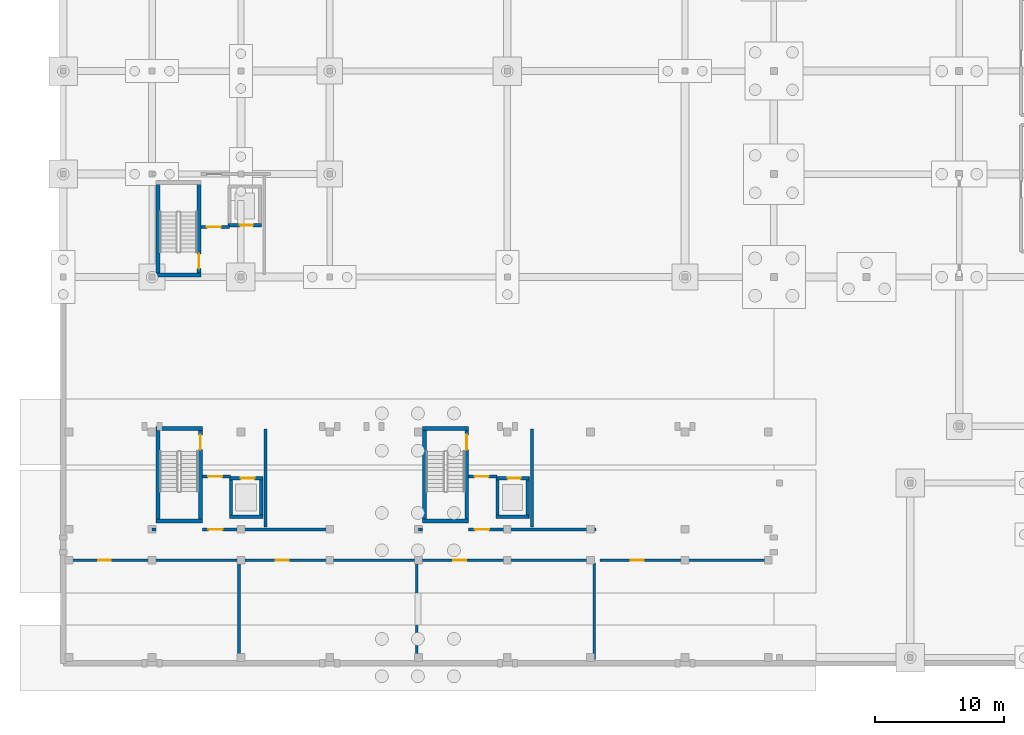
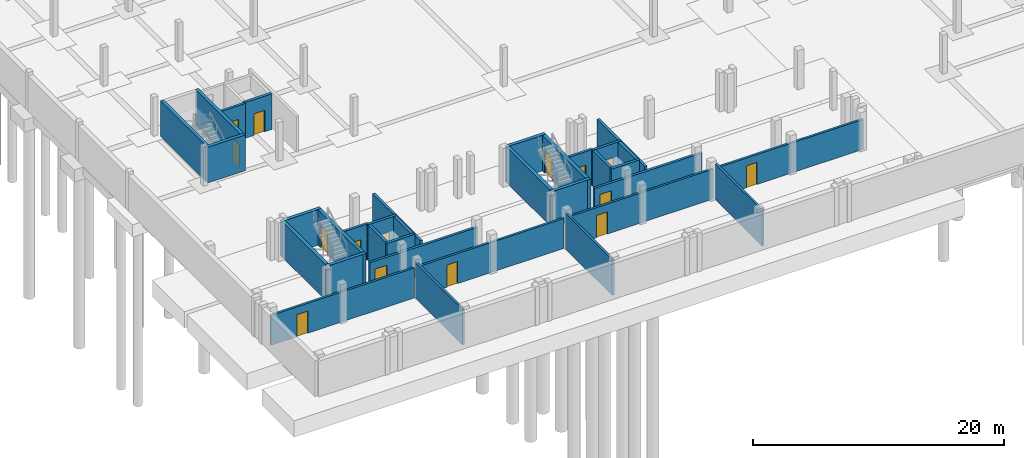
# One storey, part 17 of 38: 36 walls, 15 doors, 15 openings.
"""IFC4 building model written with IfcOpenShell, lengths in metres."""

from ifc_helpers import new_model, si_unit, direction, frame, frame_2d, origin, origin_with_axes, place, context, subcontext, project, spatial, rectangle, extrude, material, layer, layer_set, type_object, element, fill, save


model = new_model("IFC4")

# Units and contexts
model_context = context("Model", 3, precision=1e-05, world=origin(), true_north=direction((0.0, 1.0)))
body_context = subcontext(model_context, "Body", "Model", "MODEL_VIEW")
ifc_project = project(units=[si_unit("LENGTHUNIT", "METRE"), si_unit("AREAUNIT", "SQUARE_METRE"), si_unit("VOLUMEUNIT", "CUBIC_METRE"), si_unit("PLANEANGLEUNIT", "RADIAN"), si_unit("MASSUNIT", "GRAM", prefix="KILO")], contexts=[model_context])

# Site, building, storey
site_placement = place(None, origin())
site = spatial("IfcSite", under=ifc_project, at=site_placement, CompositionType="ELEMENT")
building_placement = place(site_placement, origin())
building = spatial("IfcBuilding", under=site, at=building_placement, Name="Zavelmont Quarter", CompositionType="ELEMENT")
storey_placement = place(building_placement, frame((0.0, 0.0, -3.800048828125)))
storey = spatial("IfcBuildingStorey", under=building, at=storey_placement, Name="B01", CompositionType="ELEMENT", Elevation=-3.800048828125)

# Wall, opening, door
ifc_material_1 = material(Name="Calcium-silicate blockwork and acoustic plaster", Category="masonry")
ifc_layer_1 = layer(ifc_material_1, 0.199951171875)
ifc_layer_set_1 = layer_set([ifc_layer_1], Name="Calcium-silicate blockwork and acoustic plaster")
wall_type_1 = type_object("IfcWallType", Name="IW01", PredefinedType="PARTITIONING", material=ifc_layer_set_1)
wall_1_placement = place(storey_placement, frame((0.300048828125, 8.0, 0.0), z_axis=(0.0, 0.0, 1.0), x_axis=(1.0, 0.0, 0.0)))
wall_1 = element("IfcWall", 1, at=wall_1_placement, inside=storey, type_object=wall_type_1, Name="B01 Basement storage wall IW01", PredefinedType="PARTITIONING", context=body_context, shape_type="SweptSolid", body=[
    extrude(rectangle(XDim=13.199951171875, YDim=0.199951171875, at=frame_2d((6.60009765625, 0.0))), origin(), (0.0, 0.0, 1.0), 2.920166015625),
])
opening_1_placement = place(wall_1_placement, frame((2.39990234375, 0.0, 0.0)))
opening_1 = element("IfcOpeningElement", 2, at=opening_1_placement, cuts=wall_1, Name="Opening DR07", PredefinedType="OPENING", context=body_context, shape_type="SweptSolid", body=[
    extrude(rectangle(XDim=1.0, YDim=2.14990234375, at=frame_2d((0.5, 1.074951171875))), frame((0.0, 0.11181640625, 0.0), z_axis=(0.0, -1.0, 0.0), x_axis=(1.0, 0.0, 0.0)), (0.0, 0.0, 1.0), 0.223876953125),
])
ifc_material_2 = material(Name="Solid-core oak fire leaf in steel frame", Category="steel")
door_type_1 = type_object("IfcDoorType", Name="DR07", OperationType="NOTDEFINED", PredefinedType="DOOR", material=ifc_material_2)
door_1_placement = place(opening_1_placement, frame((1.0, 0.0, 0.0), z_axis=(0.0, 0.0, 1.0), x_axis=(-1.0, 0.0, 0.0)))
door_1 = element("IfcDoor", 3, at=door_1_placement, inside=storey, type_object=door_type_1, Name="B01 door DR07", OperationType="SINGLE_SWING_RIGHT", OverallHeight=2.14990234375, OverallWidth=1.0, PredefinedType="DOOR", context=body_context, shape_type="SweptSolid", body=[
    extrude(rectangle(XDim=1.0, YDim=2.14990234375, at=frame_2d((0.5, 1.074951171875))), frame((0.0, 0.02490234375, 0.0), z_axis=(0.0, -1.0, 0.0), x_axis=(1.0, 0.0, 0.0)), (0.0, 0.0, 1.0), 0.050048828125),
])
fill(opening_1, door_1)

# Wall
wall_2_placement = place(storey_placement, frame((13.64990234375, 0.300048828125, 0.0), z_axis=(0.0, 0.0, 1.0), x_axis=(0.0, 1.0, 0.0)))
element("IfcWall", 4, at=wall_2_placement, inside=storey, type_object=wall_type_1, Name="B01 Interior partition IW01", PredefinedType="PARTITIONING", context=body_context, shape_type="SweptSolid", body=[
    extrude(rectangle(XDim=7.5, YDim=0.199951171875, at=frame_2d((3.75, 0.0))), origin(), (0.0, 0.0, 1.0), 3.47998046875),
])

# Wall, opening, door
wall_3_placement = place(storey_placement, frame((14.10009765625, 8.0, 0.0), z_axis=(0.0, 0.0, 1.0), x_axis=(1.0, 0.0, 0.0)))
wall_3 = element("IfcWall", 5, at=wall_3_placement, inside=storey, type_object=wall_type_1, Name="B01 Basement storage wall IW01", PredefinedType="PARTITIONING", context=body_context, shape_type="SweptSolid", body=[
    extrude(rectangle(XDim=13.199951171875, YDim=0.199951171875, at=frame_2d((6.60009765625, 0.0))), origin(), (0.0, 0.0, 1.0), 2.920166015625),
])
opening_2_placement = place(wall_3_placement, frame((2.39990234375, 0.0, 0.0)))
opening_2 = element("IfcOpeningElement", 6, at=opening_2_placement, cuts=wall_3, Name="Opening DR07", PredefinedType="OPENING", context=body_context, shape_type="SweptSolid", body=[
    extrude(rectangle(XDim=1.0, YDim=2.14990234375, at=frame_2d((0.5, 1.074951171875))), frame((0.0, 0.11181640625, 0.0), z_axis=(0.0, -1.0, 0.0), x_axis=(1.0, 0.0, 0.0)), (0.0, 0.0, 1.0), 0.223876953125),
])
door_2_placement = place(opening_2_placement, origin_with_axes())
door_2 = element("IfcDoor", 7, at=door_2_placement, inside=storey, type_object=door_type_1, Name="B01 door DR07", OperationType="SINGLE_SWING_RIGHT", OverallHeight=2.14990234375, OverallWidth=1.0, PredefinedType="DOOR", context=body_context, shape_type="SweptSolid", body=[
    extrude(rectangle(XDim=1.0, YDim=2.14990234375, at=frame_2d((0.5, 1.074951171875))), frame((0.0, 0.02490234375, 0.0), z_axis=(0.0, -1.0, 0.0), x_axis=(1.0, 0.0, 0.0)), (0.0, 0.0, 1.0), 0.050048828125),
])
fill(opening_2, door_2)

# Wall
wall_4_placement = place(storey_placement, frame((27.449951171875, 0.300048828125, 0.0), z_axis=(0.0, 0.0, 1.0), x_axis=(0.0, 1.0, 0.0)))
element("IfcWall", 8, at=wall_4_placement, inside=storey, type_object=wall_type_1, Name="B01 Interior partition IW01", PredefinedType="PARTITIONING", context=body_context, shape_type="SweptSolid", body=[
    extrude(rectangle(XDim=7.5, YDim=0.199951171875, at=frame_2d((3.75, 0.0))), origin(), (0.0, 0.0, 1.0), 3.47998046875),
])

# Wall, opening, door
wall_5_placement = place(storey_placement, frame((27.89990234375, 8.0, 0.0), z_axis=(0.0, 0.0, 1.0), x_axis=(1.0, 0.0, 0.0)))
wall_5 = element("IfcWall", 9, at=wall_5_placement, inside=storey, type_object=wall_type_1, Name="B01 Basement storage wall IW01", PredefinedType="PARTITIONING", context=body_context, shape_type="SweptSolid", body=[
    extrude(rectangle(XDim=13.2001953125, YDim=0.199951171875, at=frame_2d((6.60009765625, 0.0))), origin(), (0.0, 0.0, 1.0), 2.920166015625),
])
opening_3_placement = place(wall_5_placement, frame((2.39990234375, 0.0, 0.0)))
opening_3 = element("IfcOpeningElement", 10, at=opening_3_placement, cuts=wall_5, Name="Opening DR07", PredefinedType="OPENING", context=body_context, shape_type="SweptSolid", body=[
    extrude(rectangle(XDim=1.0, YDim=2.14990234375, at=frame_2d((0.5, 1.074951171875))), frame((0.0, 0.11181640625, 0.0), z_axis=(0.0, -1.0, 0.0), x_axis=(1.0, 0.0, 0.0)), (0.0, 0.0, 1.0), 0.223876953125),
])
door_3_placement = place(opening_3_placement, frame((1.0, 0.0, 0.0), z_axis=(0.0, 0.0, 1.0), x_axis=(-1.0, 0.0, 0.0)))
door_3 = element("IfcDoor", 11, at=door_3_placement, inside=storey, type_object=door_type_1, Name="B01 door DR07", OperationType="SINGLE_SWING_RIGHT", OverallHeight=2.14990234375, OverallWidth=1.0, PredefinedType="DOOR", context=body_context, shape_type="SweptSolid", body=[
    extrude(rectangle(XDim=1.0, YDim=2.14990234375, at=frame_2d((0.5, 1.074951171875))), frame((0.0, 0.02490234375, 0.0), z_axis=(0.0, -1.0, 0.0), x_axis=(1.0, 0.0, 0.0)), (0.0, 0.0, 1.0), 0.050048828125),
])
fill(opening_3, door_3)

# Wall
wall_6_placement = place(storey_placement, frame((41.25, 0.300048828125, 0.0), z_axis=(0.0, 0.0, 1.0), x_axis=(0.0, 1.0, 0.0)))
element("IfcWall", 12, at=wall_6_placement, inside=storey, type_object=wall_type_1, Name="B01 Interior partition IW01", PredefinedType="PARTITIONING", context=body_context, shape_type="SweptSolid", body=[
    extrude(rectangle(XDim=7.5, YDim=0.199951171875, at=frame_2d((3.75, 0.0))), origin(), (0.0, 0.0, 1.0), 3.47998046875),
])

# Wall, opening, door
wall_7_placement = place(storey_placement, frame((41.699951171875, 8.0, 0.0), z_axis=(0.0, 0.0, 1.0), x_axis=(1.0, 0.0, 0.0)))
wall_7 = element("IfcWall", 13, at=wall_7_placement, inside=storey, type_object=wall_type_1, Name="B01 Basement storage wall IW01", PredefinedType="PARTITIONING", context=body_context, shape_type="SweptSolid", body=[
    extrude(rectangle(XDim=13.199951171875, YDim=0.199951171875, at=frame_2d((6.60009765625, 0.0))), origin(), (0.0, 0.0, 1.0), 2.920166015625),
])
opening_4_placement = place(wall_7_placement, frame((2.39990234375, 0.0, 0.0)))
opening_4 = element("IfcOpeningElement", 14, at=opening_4_placement, cuts=wall_7, Name="Opening DR07", PredefinedType="OPENING", context=body_context, shape_type="SweptSolid", body=[
    extrude(rectangle(XDim=1.0, YDim=2.14990234375, at=frame_2d((0.5, 1.074951171875))), frame((0.0, 0.11181640625, 0.0), z_axis=(0.0, -1.0, 0.0), x_axis=(1.0, 0.0, 0.0)), (0.0, 0.0, 1.0), 0.223876953125),
])
door_4_placement = place(opening_4_placement, origin_with_axes())
door_4 = element("IfcDoor", 15, at=door_4_placement, inside=storey, type_object=door_type_1, Name="B01 door DR07", OperationType="SINGLE_SWING_RIGHT", OverallHeight=2.14990234375, OverallWidth=1.0, PredefinedType="DOOR", context=body_context, shape_type="SweptSolid", body=[
    extrude(rectangle(XDim=1.0, YDim=2.14990234375, at=frame_2d((0.5, 1.074951171875))), frame((0.0, 0.02490234375, 0.0), z_axis=(0.0, -1.0, 0.0), x_axis=(1.0, 0.0, 0.0)), (0.0, 0.0, 1.0), 0.050048828125),
])
fill(opening_4, door_4)

# Wall
ifc_material_3 = material(Name="Reinforced masonry fire compartment wall", Category="masonry")
ifc_layer_2 = layer(ifc_material_3, 0.22509765625)
ifc_layer_set_2 = layer_set([ifc_layer_2], Name="Reinforced masonry fire compartment wall")
wall_type_2 = type_object("IfcWallType", Name="IW02", PredefinedType="PARTITIONING", material=ifc_layer_set_2)
wall_8_placement = place(storey_placement, frame((15.7099609375, 10.60009765625, 0.0), z_axis=(0.0, 0.0, 1.0), x_axis=(0.0, 1.0, 0.0)))
element("IfcWall", 16, at=wall_8_placement, inside=storey, type_object=wall_type_2, Name="B01 Firefighting lobby enclosure wall IW02", PredefinedType="PARTITIONING", context=body_context, shape_type="SweptSolid", body=[
    extrude(rectangle(XDim=7.599853515625, YDim=0.22509765625, at=frame_2d((3.7998046875, 0.0))), origin(), (0.0, 0.0, 1.0), 3.18994140625),
])

# Wall, opening, door
wall_9_placement = place(storey_placement, frame((10.800048828125, 14.5, 0.0), z_axis=(0.0, 0.0, 1.0), x_axis=(1.0, 0.0, 0.0)))
wall_9 = element("IfcWall", 17, at=wall_9_placement, inside=storey, type_object=wall_type_2, Name="B01 Firefighting lobby threshold wall IW02", PredefinedType="PARTITIONING", context=body_context, shape_type="SweptSolid", body=[
    extrude(rectangle(XDim=2.199951171875, YDim=0.22509765625, at=frame_2d((1.10009765625, 0.0))), origin(), (0.0, 0.0, 1.0), 3.47998046875),
])
opening_5_placement = place(wall_9_placement, frame((0.449951171875, 0.0, 0.0)))
opening_5 = element("IfcOpeningElement", 18, at=opening_5_placement, cuts=wall_9, Name="Opening DR10", PredefinedType="OPENING", context=body_context, shape_type="SweptSolid", body=[
    extrude(rectangle(XDim=1.10009765625, YDim=2.14990234375, at=frame_2d((0.550048828125, 1.074951171875))), frame((0.0, 0.12451171875, 0.0), z_axis=(0.0, -1.0, 0.0), x_axis=(1.0, 0.0, 0.0)), (0.0, 0.0, 1.0), 0.2490234375),
])
ifc_material_4 = material(Name="Painted steel lobby fire door", Category="steel")
door_type_2 = type_object("IfcDoorType", Name="DR10", OperationType="NOTDEFINED", PredefinedType="DOOR", material=ifc_material_4)
door_5_placement = place(opening_5_placement, origin_with_axes())
door_5 = element("IfcDoor", 19, at=door_5_placement, inside=storey, type_object=door_type_2, Name="Firefighting lobby fire door", OperationType="SINGLE_SWING_LEFT", OverallHeight=2.14990234375, OverallWidth=1.10009765625, PredefinedType="DOOR", context=body_context, shape_type="SweptSolid", body=[
    extrude(rectangle(XDim=1.10009765625, YDim=2.14990234375, at=frame_2d((0.550048828125, 1.074951171875))), frame((0.0, 0.02490234375, 0.0), z_axis=(0.0, -1.0, 0.0), x_axis=(1.0, 0.0, 0.0)), (0.0, 0.0, 1.0), 0.050048828125),
])
fill(opening_5, door_5)

# Wall
wall_10_placement = place(storey_placement, frame((6.89990234375, 10.39990234375, 0.0), z_axis=(0.0, 0.0, 1.0), x_axis=(1.0, 0.0, 0.0)))
element("IfcWall", 20, at=wall_10_placement, inside=storey, type_object=wall_type_2, Name="B01 Core corridor wall IW02", PredefinedType="PARTITIONING", context=body_context, shape_type="SweptSolid", body=[
    extrude(rectangle(XDim=0.300048828125, YDim=0.22509765625, at=frame_2d((0.14990234375, 0.0))), origin(), (0.0, 0.0, 1.0), 3.47998046875),
])

# Wall, opening, door
wall_11_placement = place(storey_placement, frame((10.800048828125, 10.39990234375, 0.0), z_axis=(0.0, 0.0, 1.0), x_axis=(1.0, 0.0, 0.0)))
wall_11 = element("IfcWall", 21, at=wall_11_placement, inside=storey, type_object=wall_type_2, Name="B01 Core corridor fire wall IW02", PredefinedType="PARTITIONING", context=body_context, shape_type="SweptSolid", body=[
    extrude(rectangle(XDim=9.89990234375, YDim=0.22509765625, at=frame_2d((4.949951171875, 0.0))), origin(), (0.0, 0.0, 1.0), 2.920166015625),
])
opening_6_placement = place(wall_11_placement, frame((0.47509765625, 0.0, 0.0)))
opening_6 = element("IfcOpeningElement", 22, at=opening_6_placement, cuts=wall_11, Name="Opening DR10", PredefinedType="OPENING", context=body_context, shape_type="SweptSolid", body=[
    extrude(rectangle(XDim=1.10009765625, YDim=2.14990234375, at=frame_2d((0.550048828125, 1.074951171875))), frame((0.0, 0.12451171875, 0.0), z_axis=(0.0, -1.0, 0.0), x_axis=(1.0, 0.0, 0.0)), (0.0, 0.0, 1.0), 0.2490234375),
])
door_6_placement = place(opening_6_placement, origin_with_axes())
door_6 = element("IfcDoor", 23, at=door_6_placement, inside=storey, type_object=door_type_2, Name="Core vestibule fire door", OperationType="SINGLE_SWING_RIGHT", OverallHeight=2.14990234375, OverallWidth=1.10009765625, PredefinedType="DOOR", context=body_context, shape_type="SweptSolid", body=[
    extrude(rectangle(XDim=1.10009765625, YDim=2.14990234375, at=frame_2d((0.550048828125, 1.074951171875))), frame((0.0, 0.02490234375, 0.0), z_axis=(0.0, -1.0, 0.0), x_axis=(1.0, 0.0, 0.0)), (0.0, 0.0, 1.0), 0.050048828125),
])
fill(opening_6, door_6)

# Wall
wall_12_placement = place(storey_placement, frame((36.409912109375, 10.60009765625, 0.0), z_axis=(0.0, 0.0, 1.0), x_axis=(0.0, 1.0, 0.0)))
element("IfcWall", 24, at=wall_12_placement, inside=storey, type_object=wall_type_2, Name="B01 Firefighting lobby enclosure wall IW02", PredefinedType="PARTITIONING", context=body_context, shape_type="SweptSolid", body=[
    extrude(rectangle(XDim=7.599853515625, YDim=0.22509765625, at=frame_2d((3.7998046875, 0.0))), origin(), (0.0, 0.0, 1.0), 3.18994140625),
])

# Wall, opening, door
wall_13_placement = place(storey_placement, frame((31.5, 14.5, 0.0), z_axis=(0.0, 0.0, 1.0), x_axis=(1.0, 0.0, 0.0)))
wall_13 = element("IfcWall", 25, at=wall_13_placement, inside=storey, type_object=wall_type_2, Name="B01 Firefighting lobby threshold wall IW02", PredefinedType="PARTITIONING", context=body_context, shape_type="SweptSolid", body=[
    extrude(rectangle(XDim=2.199951171875, YDim=0.22509765625, at=frame_2d((1.10009765625, 0.0))), origin(), (0.0, 0.0, 1.0), 3.47998046875),
])
opening_7_placement = place(wall_13_placement, frame((0.449951171875, 0.0, 0.0)))
opening_7 = element("IfcOpeningElement", 26, at=opening_7_placement, cuts=wall_13, Name="Opening DR10", PredefinedType="OPENING", context=body_context, shape_type="SweptSolid", body=[
    extrude(rectangle(XDim=1.10009765625, YDim=2.14990234375, at=frame_2d((0.550048828125, 1.074951171875))), frame((0.0, 0.12451171875, 0.0), z_axis=(0.0, -1.0, 0.0), x_axis=(1.0, 0.0, 0.0)), (0.0, 0.0, 1.0), 0.2490234375),
])
door_7_placement = place(opening_7_placement, origin_with_axes())
door_7 = element("IfcDoor", 27, at=door_7_placement, inside=storey, type_object=door_type_2, Name="Firefighting lobby fire door", OperationType="SINGLE_SWING_RIGHT", OverallHeight=2.14990234375, OverallWidth=1.10009765625, PredefinedType="DOOR", context=body_context, shape_type="SweptSolid", body=[
    extrude(rectangle(XDim=1.10009765625, YDim=2.14990234375, at=frame_2d((0.550048828125, 1.074951171875))), frame((0.0, 0.02490234375, 0.0), z_axis=(0.0, -1.0, 0.0), x_axis=(1.0, 0.0, 0.0)), (0.0, 0.0, 1.0), 0.050048828125),
])
fill(opening_7, door_7)

# Wall
wall_14_placement = place(storey_placement, frame((27.60009765625, 10.39990234375, 0.0), z_axis=(0.0, 0.0, 1.0), x_axis=(1.0, 0.0, 0.0)))
element("IfcWall", 28, at=wall_14_placement, inside=storey, type_object=wall_type_2, Name="B01 Core corridor wall IW02", PredefinedType="PARTITIONING", context=body_context, shape_type="SweptSolid", body=[
    extrude(rectangle(XDim=0.2998046875, YDim=0.22509765625, at=frame_2d((0.14990234375, 0.0))), origin(), (0.0, 0.0, 1.0), 3.47998046875),
])

# Wall, opening, door
wall_15_placement = place(storey_placement, frame((31.5, 10.39990234375, 0.0), z_axis=(0.0, 0.0, 1.0), x_axis=(1.0, 0.0, 0.0)))
wall_15 = element("IfcWall", 29, at=wall_15_placement, inside=storey, type_object=wall_type_2, Name="B01 Core corridor fire wall IW02", PredefinedType="PARTITIONING", context=body_context, shape_type="SweptSolid", body=[
    extrude(rectangle(XDim=9.89990234375, YDim=0.22509765625, at=frame_2d((4.949951171875, 0.0))), origin(), (0.0, 0.0, 1.0), 2.920166015625),
])
opening_8_placement = place(wall_15_placement, frame((0.47509765625, 0.0, 0.0)))
opening_8 = element("IfcOpeningElement", 30, at=opening_8_placement, cuts=wall_15, Name="Opening DR10", PredefinedType="OPENING", context=body_context, shape_type="SweptSolid", body=[
    extrude(rectangle(XDim=1.10009765625, YDim=2.14990234375, at=frame_2d((0.550048828125, 1.074951171875))), frame((0.0, 0.12451171875, 0.0), z_axis=(0.0, -1.0, 0.0), x_axis=(1.0, 0.0, 0.0)), (0.0, 0.0, 1.0), 0.2490234375),
])
door_8_placement = place(opening_8_placement, origin_with_axes())
door_8 = element("IfcDoor", 31, at=door_8_placement, inside=storey, type_object=door_type_2, Name="Core vestibule fire door", OperationType="SINGLE_SWING_LEFT", OverallHeight=2.14990234375, OverallWidth=1.10009765625, PredefinedType="DOOR", context=body_context, shape_type="SweptSolid", body=[
    extrude(rectangle(XDim=1.10009765625, YDim=2.14990234375, at=frame_2d((0.550048828125, 1.074951171875))), frame((0.0, 0.02490234375, 0.0), z_axis=(0.0, -1.0, 0.0), x_axis=(1.0, 0.0, 0.0)), (0.0, 0.0, 1.0), 0.050048828125),
])
fill(opening_8, door_8)

wall_16_placement = place(storey_placement, frame((10.699951171875, 33.89990234375, 0.0), z_axis=(0.0, 0.0, 1.0), x_axis=(1.0, 0.0, 0.0)))
wall_16 = element("IfcWall", 32, at=wall_16_placement, inside=storey, type_object=wall_type_2, Name="B01 Firefighting lobby threshold wall IW02", PredefinedType="PARTITIONING", context=body_context, shape_type="SweptSolid", body=[
    extrude(rectangle(XDim=2.199951171875, YDim=0.22509765625, at=frame_2d((1.10009765625, 0.0))), origin(), (0.0, 0.0, 1.0), 3.47998046875),
])
opening_9_placement = place(wall_16_placement, frame((0.449951171875, 0.0, 0.0)))
opening_9 = element("IfcOpeningElement", 33, at=opening_9_placement, cuts=wall_16, Name="Opening DR10", PredefinedType="OPENING", context=body_context, shape_type="SweptSolid", body=[
    extrude(rectangle(XDim=1.10009765625, YDim=2.14990234375, at=frame_2d((0.550048828125, 1.074951171875))), frame((0.0, 0.12451171875, 0.0), z_axis=(0.0, -1.0, 0.0), x_axis=(1.0, 0.0, 0.0)), (0.0, 0.0, 1.0), 0.2490234375),
])
door_9_placement = place(opening_9_placement, frame((1.10009765625, 0.0, 0.0), z_axis=(0.0, 0.0, 1.0), x_axis=(-1.0, 0.0, 0.0)))
door_9 = element("IfcDoor", 34, at=door_9_placement, inside=storey, type_object=door_type_2, Name="Firefighting lobby fire door", OperationType="SINGLE_SWING_LEFT", OverallHeight=2.14990234375, OverallWidth=1.10009765625, PredefinedType="DOOR", context=body_context, shape_type="SweptSolid", body=[
    extrude(rectangle(XDim=1.10009765625, YDim=2.14990234375, at=frame_2d((0.550048828125, 1.074951171875))), frame((0.0, 0.02490234375, 0.0), z_axis=(0.0, -1.0, 0.0), x_axis=(1.0, 0.0, 0.0)), (0.0, 0.0, 1.0), 0.050048828125),
])
fill(opening_9, door_9)

# Walls
ifc_material_5 = material(Name="Concrete C40/50", Category="concrete")
ifc_layer_3 = layer(ifc_material_5, 0.300048828125)
ifc_layer_set_3 = layer_set([ifc_layer_3], Name="Concrete C40/50")
wall_type_3 = type_object("IfcWallType", Name="SW01", PredefinedType="SHEAR", material=ifc_layer_set_3)
for number, where, z_axis, x_axis, name in (
    (35, (7.199951171875, 18.25, 0.0), (0.0, 0.0, 1.0), (1.0, 0.0, 0.0), "B01 ST01 outer shear wall SW01"),
    (36, (7.199951171875, 11.050048828125, 0.0), (0.0, 0.0, 1.0), (1.0, 0.0, 0.0), "B01 ST01 corridor shear wall SW01"),
):
    element("IfcWall", number, at=place(storey_placement, frame(where, z_axis=z_axis, x_axis=x_axis)), inside=storey, type_object=wall_type_3, Name=name, PredefinedType="SHEAR", context=body_context, shape_type="SweptSolid", body=[
        extrude(rectangle(XDim=3.60009765625, YDim=0.300048828125, at=frame_2d((1.800048828125, 0.0))), origin(), (0.0, 0.0, 1.0), 3.47998046875),
    ])
wall_17_placement = place(storey_placement, frame((7.35009765625, 10.89990234375, 0.0), z_axis=(0.0, 0.0, 1.0), x_axis=(0.0, 1.0, 0.0)))
element("IfcWall", 37, at=wall_17_placement, inside=storey, type_object=wall_type_3, Name="B01 ST01 west shear wall SW01", PredefinedType="SHEAR", context=body_context, shape_type="SweptSolid", body=[
    extrude(rectangle(XDim=7.5, YDim=0.300048828125, at=frame_2d((3.75, 0.0))), origin(), (0.0, 0.0, 1.0), 3.47998046875),
])

# Wall, opening, door
wall_18_placement = place(storey_placement, frame((10.64990234375, 10.89990234375, 0.0), z_axis=(0.0, 0.0, 1.0), x_axis=(0.0, 1.0, 0.0)))
wall_18 = element("IfcWall", 38, at=wall_18_placement, inside=storey, type_object=wall_type_3, Name="B01 ST01 lobby shear wall SW01", PredefinedType="SHEAR", context=body_context, shape_type="SweptSolid", body=[
    extrude(rectangle(XDim=7.5, YDim=0.300048828125, at=frame_2d((3.75, 0.0))), origin(), (0.0, 0.0, 1.0), 3.47998046875),
])
opening_10_placement = place(wall_18_placement, frame((5.699951171875, 0.0, 0.0)))
opening_10 = element("IfcOpeningElement", 39, at=opening_10_placement, cuts=wall_18, Name="Opening DR09", PredefinedType="OPENING", context=body_context, shape_type="SweptSolid", body=[
    extrude(rectangle(XDim=1.14990234375, YDim=2.14990234375, at=frame_2d((0.574951171875, 1.074951171875))), frame((0.0, 0.162109375, 0.0), z_axis=(0.0, -1.0, 0.0), x_axis=(1.0, 0.0, 0.0)), (0.0, 0.0, 1.0), 0.323974609375),
])
ifc_material_6 = material(Name="Painted steel stair-core fire door", Category="steel")
door_type_3 = type_object("IfcDoorType", Name="DR09", OperationType="NOTDEFINED", PredefinedType="DOOR", material=ifc_material_6)
door_10_placement = place(opening_10_placement, origin_with_axes())
door_10 = element("IfcDoor", 40, at=door_10_placement, inside=storey, type_object=door_type_3, Name="ST01 protected stair door", OperationType="SINGLE_SWING_LEFT", OverallHeight=2.14990234375, OverallWidth=1.14990234375, PredefinedType="DOOR", context=body_context, shape_type="SweptSolid", body=[
    extrude(rectangle(XDim=1.14990234375, YDim=2.14990234375, at=frame_2d((0.574951171875, 1.074951171875))), frame((0.0, 0.02490234375, 0.0), z_axis=(0.0, -1.0, 0.0), x_axis=(1.0, 0.0, 0.0)), (0.0, 0.0, 1.0), 0.050048828125),
])
fill(opening_10, door_10)

# Walls
for number, where, z_axis, x_axis, name in (
    (41, (27.89990234375, 18.25, 0.0), (0.0, 0.0, 1.0), (1.0, 0.0, 0.0), "B01 ST02 outer shear wall SW01"),
    (42, (27.89990234375, 11.050048828125, 0.0), (0.0, 0.0, 1.0), (1.0, 0.0, 0.0), "B01 ST02 corridor shear wall SW01"),
):
    element("IfcWall", number, at=place(storey_placement, frame(where, z_axis=z_axis, x_axis=x_axis)), inside=storey, type_object=wall_type_3, Name=name, PredefinedType="SHEAR", context=body_context, shape_type="SweptSolid", body=[
        extrude(rectangle(XDim=3.60009765625, YDim=0.300048828125, at=frame_2d((1.800048828125, 0.0))), origin(), (0.0, 0.0, 1.0), 3.47998046875),
    ])
wall_19_placement = place(storey_placement, frame((28.050048828125, 10.89990234375, 0.0), z_axis=(0.0, 0.0, 1.0), x_axis=(0.0, 1.0, 0.0)))
element("IfcWall", 43, at=wall_19_placement, inside=storey, type_object=wall_type_3, Name="B01 ST02 west shear wall SW01", PredefinedType="SHEAR", context=body_context, shape_type="SweptSolid", body=[
    extrude(rectangle(XDim=7.5, YDim=0.300048828125, at=frame_2d((3.75, 0.0))), origin(), (0.0, 0.0, 1.0), 3.47998046875),
])

# Wall, opening, door
wall_20_placement = place(storey_placement, frame((31.35009765625, 10.89990234375, 0.0), z_axis=(0.0, 0.0, 1.0), x_axis=(0.0, 1.0, 0.0)))
wall_20 = element("IfcWall", 44, at=wall_20_placement, inside=storey, type_object=wall_type_3, Name="B01 ST02 lobby shear wall SW01", PredefinedType="SHEAR", context=body_context, shape_type="SweptSolid", body=[
    extrude(rectangle(XDim=7.5, YDim=0.300048828125, at=frame_2d((3.75, 0.0))), origin(), (0.0, 0.0, 1.0), 3.47998046875),
])
opening_11_placement = place(wall_20_placement, frame((5.699951171875, 0.0, 0.0)))
opening_11 = element("IfcOpeningElement", 45, at=opening_11_placement, cuts=wall_20, Name="Opening DR09", PredefinedType="OPENING", context=body_context, shape_type="SweptSolid", body=[
    extrude(rectangle(XDim=1.14990234375, YDim=2.14990234375, at=frame_2d((0.574951171875, 1.074951171875))), frame((0.0, 0.162109375, 0.0), z_axis=(0.0, -1.0, 0.0), x_axis=(1.0, 0.0, 0.0)), (0.0, 0.0, 1.0), 0.323974609375),
])
door_11_placement = place(opening_11_placement, origin_with_axes())
door_11 = element("IfcDoor", 46, at=door_11_placement, inside=storey, type_object=door_type_3, Name="ST02 protected stair door", OperationType="SINGLE_SWING_LEFT", OverallHeight=2.14990234375, OverallWidth=1.14990234375, PredefinedType="DOOR", context=body_context, shape_type="SweptSolid", body=[
    extrude(rectangle(XDim=1.14990234375, YDim=2.14990234375, at=frame_2d((0.574951171875, 1.074951171875))), frame((0.0, 0.02490234375, 0.0), z_axis=(0.0, -1.0, 0.0), x_axis=(1.0, 0.0, 0.0)), (0.0, 0.0, 1.0), 0.050048828125),
])
fill(opening_11, door_11)

# Walls
wall_21_placement = place(storey_placement, frame((7.199951171875, 30.14990234375, 0.0), z_axis=(0.0, 0.0, 1.0), x_axis=(1.0, 0.0, 0.0)))
element("IfcWall", 47, at=wall_21_placement, inside=storey, type_object=wall_type_3, Name="B01 ST13 outer shear wall SW01", PredefinedType="SHEAR", context=body_context, shape_type="SweptSolid", body=[
    extrude(rectangle(XDim=3.5, YDim=0.300048828125, at=frame_2d((1.75, 0.0))), origin(), (0.0, 0.0, 1.0), 3.47998046875),
])
wall_22_placement = place(storey_placement, frame((7.35009765625, 30.0, 0.0), z_axis=(0.0, 0.0, 1.0), x_axis=(0.0, 1.0, 0.0)))
element("IfcWall", 48, at=wall_22_placement, inside=storey, type_object=wall_type_3, Name="B01 ST13 west shear wall SW01", PredefinedType="SHEAR", context=body_context, shape_type="SweptSolid", body=[
    extrude(rectangle(XDim=7.5, YDim=0.300048828125, at=frame_2d((3.75, 0.0))), origin(), (0.0, 0.0, 1.0), 3.47998046875),
])

# Wall, opening, door
wall_23_placement = place(storey_placement, frame((10.550048828125, 30.0, 0.0), z_axis=(0.0, 0.0, 1.0), x_axis=(0.0, 1.0, 0.0)))
wall_23 = element("IfcWall", 49, at=wall_23_placement, inside=storey, type_object=wall_type_3, Name="B01 ST13 lobby shear wall SW01", PredefinedType="SHEAR", context=body_context, shape_type="SweptSolid", body=[
    extrude(rectangle(XDim=7.5, YDim=0.300048828125, at=frame_2d((3.75, 0.0))), origin(), (0.0, 0.0, 1.0), 3.47998046875),
])
opening_12_placement = place(wall_23_placement, frame((0.64990234375, 0.0, 0.0)))
opening_12 = element("IfcOpeningElement", 50, at=opening_12_placement, cuts=wall_23, Name="Opening DR09", PredefinedType="OPENING", context=body_context, shape_type="SweptSolid", body=[
    extrude(rectangle(XDim=1.14990234375, YDim=2.14990234375, at=frame_2d((0.574951171875, 1.074951171875))), frame((0.0, 0.162109375, 0.0), z_axis=(0.0, -1.0, 0.0), x_axis=(1.0, 0.0, 0.0)), (0.0, 0.0, 1.0), 0.323974609375),
])
door_12_placement = place(opening_12_placement, origin_with_axes())
door_12 = element("IfcDoor", 51, at=door_12_placement, inside=storey, type_object=door_type_3, Name="ST13 protected stair door", OperationType="SINGLE_SWING_RIGHT", OverallHeight=2.14990234375, OverallWidth=1.14990234375, PredefinedType="DOOR", context=body_context, shape_type="SweptSolid", body=[
    extrude(rectangle(XDim=1.14990234375, YDim=2.14990234375, at=frame_2d((0.574951171875, 1.074951171875))), frame((0.0, 0.02490234375, 0.0), z_axis=(0.0, -1.0, 0.0), x_axis=(1.0, 0.0, 0.0)), (0.0, 0.0, 1.0), 0.050048828125),
])
fill(opening_12, door_12)

ifc_layer_4 = layer(ifc_material_5, 0.25)
ifc_layer_set_4 = layer_set([ifc_layer_4], Name="Concrete C40/50")
wall_type_4 = type_object("IfcWallType", Name="SW02", PredefinedType="SHEAR", material=ifc_layer_set_4)
wall_24_placement = place(storey_placement, frame((12.89990234375, 14.375, 0.0), z_axis=(0.0, 0.0, 1.0), x_axis=(1.0, 0.0, 0.0)))
wall_24 = element("IfcWall", 52, at=wall_24_placement, inside=storey, type_object=wall_type_4, Name="B01 Lift FL01 landing shaft wall SW02", PredefinedType="SHEAR", context=body_context, shape_type="SweptSolid", body=[
    extrude(rectangle(XDim=2.60009765625, YDim=0.25, at=frame_2d((1.300048828125, 0.0))), origin(), (0.0, 0.0, 1.0), 3.47998046875),
])
opening_13_placement = place(wall_24_placement, frame((0.875, 0.0, 0.0)))
opening_13 = element("IfcOpeningElement", 53, at=opening_13_placement, cuts=wall_24, Name="Opening LD02", PredefinedType="OPENING", context=body_context, shape_type="SweptSolid", body=[
    extrude(rectangle(XDim=1.10009765625, YDim=2.10009765625, at=frame_2d((0.550048828125, 1.050048828125))), frame((0.0, 0.136962890625, 0.0), z_axis=(0.0, -1.0, 0.0), x_axis=(1.0, 0.0, 0.0)), (0.0, 0.0, 1.0), 0.27392578125),
])
ifc_material_7 = material(Name="Brushed stainless-steel firefighting lift landing door", Category="steel")
door_type_4 = type_object("IfcDoorType", Name="LD02", OperationType="SLIDING_TO_LEFT", PredefinedType="DOOR", material=ifc_material_7)
door_13_placement = place(opening_13_placement, origin_with_axes())
door_13 = element("IfcDoor", 54, at=door_13_placement, inside=storey, type_object=door_type_4, Name="Lift FL01 sliding landing door", OperationType="SLIDING_TO_LEFT", OverallHeight=2.10009765625, OverallWidth=1.10009765625, PredefinedType="DOOR", context=body_context, shape_type="SweptSolid", body=[
    extrude(rectangle(XDim=1.10009765625, YDim=2.10009765625, at=frame_2d((0.550048828125, 1.050048828125))), frame((0.0, 0.02490234375, 0.0), z_axis=(0.0, -1.0, 0.0), x_axis=(1.0, 0.0, 0.0)), (0.0, 0.0, 1.0), 0.050048828125),
])
fill(opening_13, door_13)

# Walls
wall_25_placement = place(storey_placement, frame((12.89990234375, 11.375, 0.0), z_axis=(0.0, 0.0, 1.0), x_axis=(1.0, 0.0, 0.0)))
element("IfcWall", 55, at=wall_25_placement, inside=storey, type_object=wall_type_4, Name="B01 Lift FL01 back shaft wall SW02", PredefinedType="SHEAR", context=body_context, shape_type="SweptSolid", body=[
    extrude(rectangle(XDim=2.60009765625, YDim=0.25, at=frame_2d((1.300048828125, 0.0))), origin(), (0.0, 0.0, 1.0), 3.47998046875),
])
for number, where, z_axis, x_axis, name in (
    (56, (13.02490234375, 11.25, 0.0), (0.0, 0.0, 1.0), (0.0, 1.0, 0.0), "B01 Lift FL01 west shaft wall SW02"),
    (57, (15.375, 11.25, 0.0), (0.0, 0.0, 1.0), (0.0, 1.0, 0.0), "B01 Lift FL01 east shaft wall SW02"),
):
    element("IfcWall", number, at=place(storey_placement, frame(where, z_axis=z_axis, x_axis=x_axis)), inside=storey, type_object=wall_type_4, Name=name, PredefinedType="SHEAR", context=body_context, shape_type="SweptSolid", body=[
        extrude(rectangle(XDim=3.25, YDim=0.25, at=frame_2d((1.625, 0.0))), origin(), (0.0, 0.0, 1.0), 3.47998046875),
    ])

# Wall, opening, door
wall_26_placement = place(storey_placement, frame((33.60009765625, 14.375, 0.0), z_axis=(0.0, 0.0, 1.0), x_axis=(1.0, 0.0, 0.0)))
wall_26 = element("IfcWall", 58, at=wall_26_placement, inside=storey, type_object=wall_type_4, Name="B01 Lift LF02 landing shaft wall SW02", PredefinedType="SHEAR", context=body_context, shape_type="SweptSolid", body=[
    extrude(rectangle(XDim=2.599853515625, YDim=0.25, at=frame_2d((1.2998046875, 0.0))), origin(), (0.0, 0.0, 1.0), 3.47998046875),
])
opening_14_placement = place(wall_26_placement, frame((0.925048828125, 0.0, 0.0)))
opening_14 = element("IfcOpeningElement", 59, at=opening_14_placement, cuts=wall_26, Name="Opening LD01", PredefinedType="OPENING", context=body_context, shape_type="SweptSolid", body=[
    extrude(rectangle(XDim=1.0, YDim=2.10009765625, at=frame_2d((0.5, 1.050048828125))), frame((0.0, 0.136962890625, 0.0), z_axis=(0.0, -1.0, 0.0), x_axis=(1.0, 0.0, 0.0)), (0.0, 0.0, 1.0), 0.27392578125),
])
ifc_material_8 = material(Name="Brushed stainless-steel automatic sliding landing door", Category="steel")
door_type_5 = type_object("IfcDoorType", Name="LD01", OperationType="SLIDING_TO_LEFT", PredefinedType="DOOR", material=ifc_material_8)
door_14_placement = place(opening_14_placement, origin_with_axes())
door_14 = element("IfcDoor", 60, at=door_14_placement, inside=storey, type_object=door_type_5, Name="Lift LF02 sliding landing door", OperationType="SLIDING_TO_LEFT", OverallHeight=2.10009765625, OverallWidth=1.0, PredefinedType="DOOR", context=body_context, shape_type="SweptSolid", body=[
    extrude(rectangle(XDim=1.0, YDim=2.10009765625, at=frame_2d((0.5, 1.050048828125))), frame((0.0, 0.02490234375, 0.0), z_axis=(0.0, -1.0, 0.0), x_axis=(1.0, 0.0, 0.0)), (0.0, 0.0, 1.0), 0.050048828125),
])
fill(opening_14, door_14)

# Walls
wall_27_placement = place(storey_placement, frame((33.60009765625, 11.375, 0.0), z_axis=(0.0, 0.0, 1.0), x_axis=(1.0, 0.0, 0.0)))
element("IfcWall", 61, at=wall_27_placement, inside=storey, type_object=wall_type_4, Name="B01 Lift LF02 back shaft wall SW02", PredefinedType="SHEAR", context=body_context, shape_type="SweptSolid", body=[
    extrude(rectangle(XDim=2.599853515625, YDim=0.25, at=frame_2d((1.2998046875, 0.0))), origin(), (0.0, 0.0, 1.0), 3.47998046875),
])
for number, where, z_axis, x_axis, name in (
    (62, (33.72509765625, 11.25, 0.0), (0.0, 0.0, 1.0), (0.0, 1.0, 0.0), "B01 Lift LF02 west shaft wall SW02"),
    (63, (36.074951171875, 11.25, 0.0), (0.0, 0.0, 1.0), (0.0, 1.0, 0.0), "B01 Lift LF02 east shaft wall SW02"),
):
    element("IfcWall", number, at=place(storey_placement, frame(where, z_axis=z_axis, x_axis=x_axis)), inside=storey, type_object=wall_type_4, Name=name, PredefinedType="SHEAR", context=body_context, shape_type="SweptSolid", body=[
        extrude(rectangle(XDim=3.25, YDim=0.25, at=frame_2d((1.625, 0.0))), origin(), (0.0, 0.0, 1.0), 3.47998046875),
    ])

# Wall, opening, door
wall_28_placement = place(storey_placement, frame((12.800048828125, 34.02490234375, 0.0), z_axis=(0.0, 0.0, 1.0), x_axis=(1.0, 0.0, 0.0)))
wall_28 = element("IfcWall", 64, at=wall_28_placement, inside=storey, type_object=wall_type_4, Name="B01 Lift LF11 landing shaft wall SW02", PredefinedType="SHEAR", context=body_context, shape_type="SweptSolid", body=[
    extrude(rectangle(XDim=2.599853515625, YDim=0.25, at=frame_2d((1.2998046875, 0.0))), origin(), (0.0, 0.0, 1.0), 3.47998046875),
])
opening_15_placement = place(wall_28_placement, frame((0.925048828125, 0.0, 0.0)))
opening_15 = element("IfcOpeningElement", 65, at=opening_15_placement, cuts=wall_28, Name="Opening LD01", PredefinedType="OPENING", context=body_context, shape_type="SweptSolid", body=[
    extrude(rectangle(XDim=1.0, YDim=2.10009765625, at=frame_2d((0.5, 1.050048828125))), frame((0.0, 0.136962890625, 0.0), z_axis=(0.0, -1.0, 0.0), x_axis=(1.0, 0.0, 0.0)), (0.0, 0.0, 1.0), 0.27392578125),
])
door_15_placement = place(opening_15_placement, origin_with_axes())
door_15 = element("IfcDoor", 66, at=door_15_placement, inside=storey, type_object=door_type_5, Name="Lift LF11 sliding landing door", OperationType="SLIDING_TO_LEFT", OverallHeight=2.10009765625, OverallWidth=1.0, PredefinedType="DOOR", context=body_context, shape_type="SweptSolid", body=[
    extrude(rectangle(XDim=1.0, YDim=2.10009765625, at=frame_2d((0.5, 1.050048828125))), frame((0.0, 0.02490234375, 0.0), z_axis=(0.0, -1.0, 0.0), x_axis=(1.0, 0.0, 0.0)), (0.0, 0.0, 1.0), 0.050048828125),
])
fill(opening_15, door_15)

save(model, "model.ifc")
